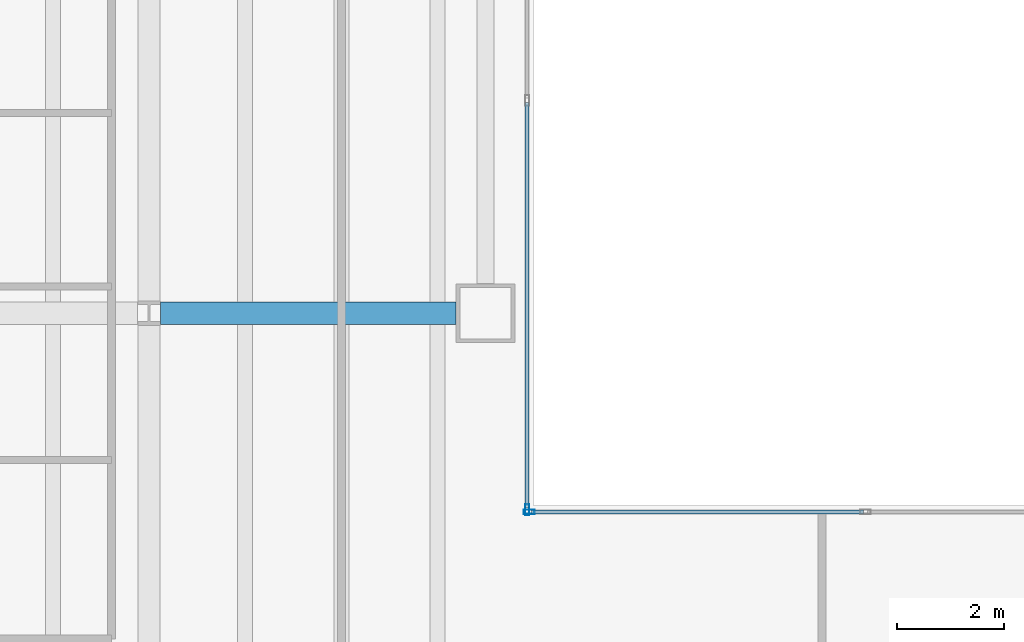
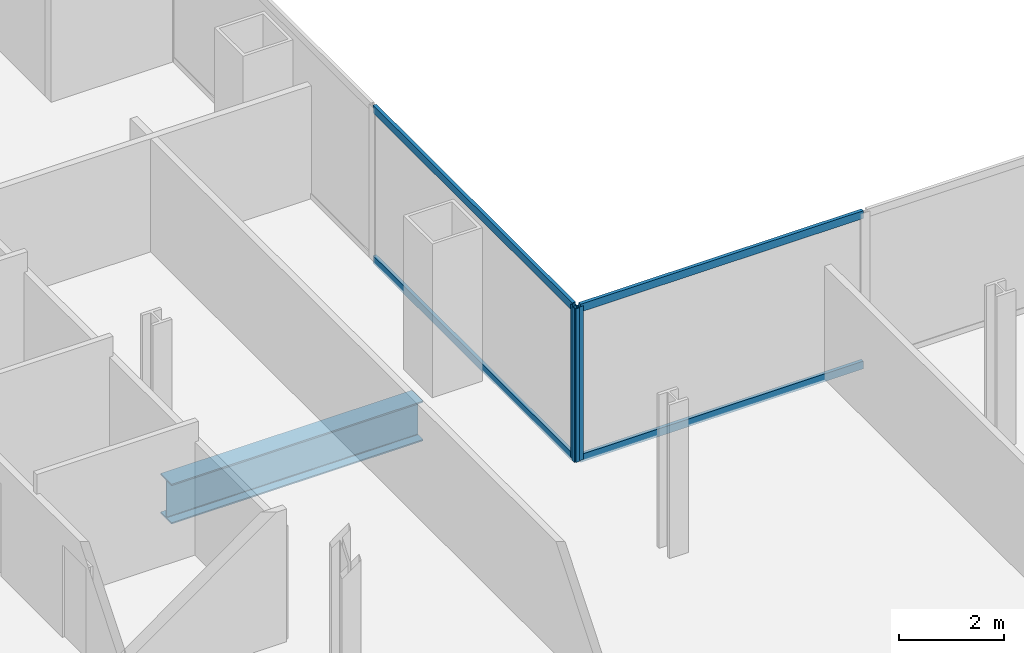
# One storey, part 6 of 23: 6 members, 1 beam, 2 elements without a shape of their own.
"""IFC4 building model written with IfcOpenShell, lengths in metres."""

from ifc_helpers import new_model, si_unit, direction, frame, origin, origin_2d, place, context, subcontext, project, spatial, hollow_rectangle, i_section, extrude, material, material_profile, profile_set, type_object, element, aggregate, save


model = new_model("IFC4")

# Units and contexts
model_context = context("Model", 3, precision=1e-05, world=origin(), true_north=direction((0.0, 1.0)))
body_context = subcontext(model_context, "Body", "Model", "MODEL_VIEW")
ifc_project = project(units=[si_unit("LENGTHUNIT", "METRE"), si_unit("AREAUNIT", "SQUARE_METRE"), si_unit("VOLUMEUNIT", "CUBIC_METRE"), si_unit("PLANEANGLEUNIT", "RADIAN"), si_unit("MASSUNIT", "GRAM", prefix="KILO")], contexts=[model_context])

# Site, building, storey
site_placement = place(None, origin())
site = spatial("IfcSite", under=ifc_project, at=site_placement, CompositionType="ELEMENT")
building_placement = place(site_placement, origin())
building = spatial("IfcBuilding", under=site, at=building_placement, Name="Cobrela Telecom Tower", CompositionType="ELEMENT")
storey_placement = place(building_placement, frame((0.0, 0.0, 38.85009765625)))
storey = spatial("IfcBuildingStorey", under=building, at=storey_placement, Name="L09", CompositionType="ELEMENT", Elevation=38.85009765625)

# Beam
ifc_material_1 = material(Name="Steel ASTM A992 Grade 50", Category="steel")
ifc_material_profile_1 = material_profile(ifc_material_1, i_section(OverallWidth=0.4189453125, OverallDepth=0.927001953125, WebThickness=0.019287109375, FlangeThickness=0.031982421875, FilletRadius=0.02392578125, at=origin_2d()), Name="W36X231")
ifc_profile_set_1 = profile_set([ifc_material_profile_1], Name="Steel ASTM A992 Grade 50")
beam_type = type_object("IfcBeamType", Name="BM-GIRD-02", PredefinedType="USERDEFINED", material=ifc_profile_set_1)
beam_placement = place(storey_placement, frame((21.81591796875, 28.800048828125, -0.74365234375), z_axis=(1.0, 0.0, 0.0), x_axis=(0.0, 1.0, 0.0)))
element("IfcBeam", 1, at=beam_placement, inside=storey, type_object=beam_type, Name="L09 Primary Girder X24", ObjectType="GIRDER", PredefinedType="USERDEFINED", context=body_context, shape_type="SweptSolid", body=[
    extrude(i_section(OverallWidth=0.4189453125, OverallDepth=0.927001953125, WebThickness=0.019287109375, FlangeThickness=0.031982421875, FilletRadius=0.02392578125, at=origin_2d()), origin(), (0.0, 0.0, 1.0), 5.529052734375),
])

# Curtain wall, member
ifc_material_2 = material(Name="Anodized Bronze Aluminium 6063-T6", Category="aluminium")
curtain_wall_type = type_object("IfcCurtainWallType", Name="CW-SYS-DATA", PredefinedType="USERDEFINED", material=ifc_material_2)
curtain_wall_1_placement = place(storey_placement, origin())
curtain_wall_1 = element("IfcCurtainWall", 2, at=curtain_wall_1_placement, inside=storey, type_object=curtain_wall_type, Name="L09 Unitised Bronze Curtain Wall 10", ObjectType="UNITISED CURTAIN WALL", PredefinedType="USERDEFINED")
ifc_material_profile_2 = material_profile(ifc_material_2, hollow_rectangle(XDim=0.080078125, YDim=0.199951171875, WallThickness=0.00390625, at=origin_2d()), Name="ALU 80x200x4")
ifc_profile_set_2 = profile_set([ifc_material_profile_2], Name="Anodized Bronze Aluminium 6063-T6")
member_type_1 = type_object("IfcMemberType", Name="CW-SYS-DATA-MUL", PredefinedType="MULLION", material=ifc_profile_set_2)
member_1_placement = place(storey_placement, frame((28.679931640625, 25.1201171875, 0.0), z_axis=(0.0, 0.0, 1.0), x_axis=(1.0, 0.0, 0.0)))
member_1 = element("IfcMember", 3, at=member_1_placement, type_object=member_type_1, Name="CW-DATA mullion 3", PredefinedType="MULLION", context=body_context, shape_type="SweptSolid", body=[
    extrude(hollow_rectangle(XDim=0.080078125, YDim=0.199951171875, WallThickness=0.00390625, at=origin_2d()), origin(), (0.0, 0.0, 1.0), 3.56982421875),
])

curtain_wall_2_placement = place(storey_placement, origin())
curtain_wall_2 = element("IfcCurtainWall", 4, at=curtain_wall_2_placement, inside=storey, type_object=curtain_wall_type, Name="L09 Unitised Bronze Curtain Wall 11", ObjectType="UNITISED CURTAIN WALL", PredefinedType="USERDEFINED")
member_2_placement = place(storey_placement, frame((28.719970703125, 25.080078125, 0.0), z_axis=(0.0, 0.0, 1.0), x_axis=(0.0, 1.0, 0.0)))
member_2 = element("IfcMember", 5, at=member_2_placement, type_object=member_type_1, Name="CW-DATA mullion 1", PredefinedType="MULLION", context=body_context, shape_type="SweptSolid", body=[
    extrude(hollow_rectangle(XDim=0.080078125, YDim=0.199951171875, WallThickness=0.00390625, at=origin_2d()), origin(), (0.0, 0.0, 1.0), 3.56982421875),
])

# Member
ifc_material_profile_3 = material_profile(ifc_material_2, hollow_rectangle(XDim=0.074951171875, YDim=0.179931640625, WallThickness=0.00390625, at=origin_2d()), Name="ALU 75x180x4")
ifc_profile_set_3 = profile_set([ifc_material_profile_3], Name="Anodized Bronze Aluminium 6063-T6")
member_type_2 = type_object("IfcMemberType", Name="CW-SYS-DATA-TRN", PredefinedType="USERDEFINED", material=ifc_profile_set_3)
member_3_placement = place(storey_placement, frame((28.679931640625, 32.7451171875, 0.037353515625), z_axis=(0.0, -1.0, 0.0), x_axis=(1.0, 0.0, 0.0)))
member_3 = element("IfcMember", 6, at=member_3_placement, type_object=member_type_2, Name="CW-DATA transom 2.1", ObjectType="TRANSOM", PredefinedType="USERDEFINED", context=body_context, shape_type="SweptSolid", body=[
    extrude(hollow_rectangle(XDim=0.074951171875, YDim=0.179931640625, WallThickness=0.00390625, at=origin_2d()), origin(), (0.0, 0.0, 1.0), 7.585205078125),
])

member_4_placement = place(storey_placement, frame((28.679931640625, 32.7451171875, 3.532470703125), z_axis=(0.0, -1.0, 0.0), x_axis=(1.0, 0.0, 0.0)))
member_4 = element("IfcMember", 7, at=member_4_placement, type_object=member_type_2, Name="CW-DATA transom 2.2", ObjectType="TRANSOM", PredefinedType="USERDEFINED", context=body_context, shape_type="SweptSolid", body=[
    extrude(hollow_rectangle(XDim=0.074951171875, YDim=0.179931640625, WallThickness=0.00390625, at=origin_2d()), origin(), (0.0, 0.0, 1.0), 7.585205078125),
])

aggregate(curtain_wall_1, [member_1, member_3, member_4])

member_5_placement = place(storey_placement, frame((28.760009765625, 25.080078125, 0.037353515625), z_axis=(1.0, 0.0, 0.0), x_axis=(0.0, 1.0, 0.0)))
member_5 = element("IfcMember", 8, at=member_5_placement, type_object=member_type_2, Name="CW-DATA transom 1.1", ObjectType="TRANSOM", PredefinedType="USERDEFINED", context=body_context, shape_type="SweptSolid", body=[
    extrude(hollow_rectangle(XDim=0.074951171875, YDim=0.179931640625, WallThickness=0.00390625, at=origin_2d()), origin(), (0.0, 0.0, 1.0), 6.216552734375),
])

member_6_placement = place(storey_placement, frame((28.760009765625, 25.080078125, 3.532470703125), z_axis=(1.0, 0.0, 0.0), x_axis=(0.0, 1.0, 0.0)))
member_6 = element("IfcMember", 9, at=member_6_placement, type_object=member_type_2, Name="CW-DATA transom 1.2", ObjectType="TRANSOM", PredefinedType="USERDEFINED", context=body_context, shape_type="SweptSolid", body=[
    extrude(hollow_rectangle(XDim=0.074951171875, YDim=0.179931640625, WallThickness=0.00390625, at=origin_2d()), origin(), (0.0, 0.0, 1.0), 6.216552734375),
])

aggregate(curtain_wall_2, [member_2, member_5, member_6])

save(model, "model.ifc")
